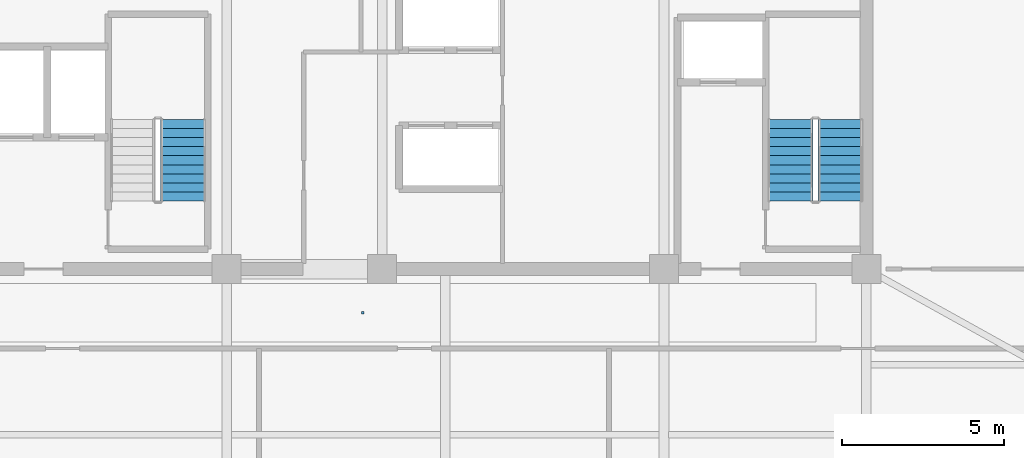
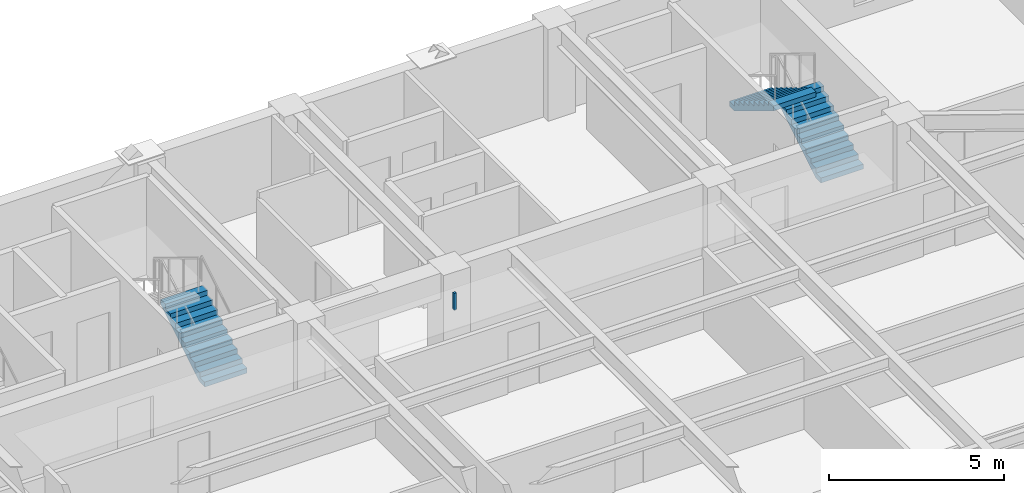
# One storey, part 11 of 16: 3 stair flights, 1 discrete accessory, 2 elements without a shape of their own.
"""IFC4 building model written with IfcOpenShell, lengths in metres."""

from ifc_helpers import new_model, si_unit, direction, frame, origin, origin_2d, place, context, subcontext, project, spatial, polyline, rectangle, outline, extrude, source, transform, mapped, material, type_object, element, aggregate, save


model = new_model("IFC4")

# Units and contexts
model_context = context("Model", 3, precision=1e-05, world=origin(), true_north=direction((0.0, 1.0)))
body_context = subcontext(model_context, "Body", "Model", "MODEL_VIEW")
ifc_project = project(units=[si_unit("LENGTHUNIT", "METRE"), si_unit("AREAUNIT", "SQUARE_METRE"), si_unit("VOLUMEUNIT", "CUBIC_METRE"), si_unit("PLANEANGLEUNIT", "RADIAN"), si_unit("MASSUNIT", "GRAM", prefix="KILO")], contexts=[model_context])

# Site, building, storey
site_placement = place(None, origin())
site = spatial("IfcSite", under=ifc_project, at=site_placement, CompositionType="ELEMENT")
building_placement = place(site_placement, origin())
building = spatial("IfcBuilding", under=site, at=building_placement, Name="Giltprow Tower", CompositionType="ELEMENT")
storey_placement = place(building_placement, frame((0.0, 0.0, 272.300048828125)))
storey = spatial("IfcBuildingStorey", under=building, at=storey_placement, Name="L70", CompositionType="ELEMENT", Elevation=272.300048828125)

# Stair, stair flight
ifc_material_1 = material(Name="Concrete C40", Category="concrete")
stair_type_1 = type_object("IfcStairType", Name="STR-ST-2", PredefinedType="HALF_TURN_STAIR", material=ifc_material_1)
stair_1_placement = place(storey_placement, origin())
stair_1 = element("IfcStair", 1, at=stair_1_placement, inside=storey, type_object=stair_type_1, Name="L70 Core Exit Stair ST-2", PredefinedType="HALF_TURN_STAIR")
stair_flight_type_1 = type_object("IfcStairFlightType", Name="SFL-ST-2", PredefinedType="STRAIGHT", material=ifc_material_1)
stair_flight_1_placement = place(storey_placement, frame((29.4599609375, 39.550048828125, 0.0), z_axis=(0.0, 0.0, 1.0), x_axis=(0.0, 1.0, 0.0)))
stair_flight_1 = element("IfcStairFlight", 2, at=stair_flight_1_placement, type_object=stair_flight_type_1, Name="ST-2 flight 1", NumberOfRisers=10, NumberOfTreads=9, PredefinedType="STRAIGHT", RiserHeight=0.17, TreadLength=0.28, context=body_context, shape_type="SweptSolid", body=[
    extrude(outline(polyline([(0.0, 0.0), (0.0, 0.169921875), (0.280029296875, 0.169921875), (0.280029296875, 0.340087890625), (0.56005859375, 0.340087890625), (0.56005859375, 0.510009765625), (0.840087890625, 0.510009765625), (0.840087890625, 0.679931640625), (1.1201171875, 0.679931640625), (1.1201171875, 0.85009765625), (1.39990234375, 0.85009765625), (1.39990234375, 1.02001953125), (1.679931640625, 1.02001953125), (1.679931640625, 1.18994140625), (1.9599609375, 1.18994140625), (1.9599609375, 1.360107421875), (2.239990234375, 1.360107421875), (2.239990234375, 1.530029296875), (2.52001953125, 1.530029296875), (2.52001953125, 1.699951171875), (2.52001953125, 1.354736328125), (0.288818359375, 0.0), (0.0, 0.0)])), frame((0.0, 0.699951171875, 0.0), z_axis=(0.0, -1.0, 0.0), x_axis=(1.0, 0.0, 0.0)), (0.0, 0.0, 1.0), 1.39990234375),
])
aggregate(stair_1, [stair_flight_1])

# Stair, stair flights
stair_type_2 = type_object("IfcStairType", Name="STR-ST-3", PredefinedType="HALF_TURN_STAIR", material=ifc_material_1)
stair_2_placement = place(storey_placement, origin())
stair_2 = element("IfcStair", 3, at=stair_2_placement, inside=storey, type_object=stair_type_2, Name="L70 Core Exit Stair ST-3", PredefinedType="HALF_TURN_STAIR")
stair_flight_type_2 = type_object("IfcStairFlightType", Name="SFL-ST-3", PredefinedType="STRAIGHT", material=ifc_material_1)
stair_flight_2_placement = place(storey_placement, frame((49.760009765625, 39.550048828125, 0.0), z_axis=(0.0, 0.0, 1.0), x_axis=(0.0, 1.0, 0.0)))
stair_flight_2 = element("IfcStairFlight", 4, at=stair_flight_2_placement, type_object=stair_flight_type_2, Name="ST-3 flight 1", NumberOfRisers=10, NumberOfTreads=9, PredefinedType="STRAIGHT", RiserHeight=0.17, TreadLength=0.28, context=body_context, shape_type="SweptSolid", body=[
    extrude(outline(polyline([(0.0, 0.0), (0.0, 0.169921875), (0.280029296875, 0.169921875), (0.280029296875, 0.340087890625), (0.56005859375, 0.340087890625), (0.56005859375, 0.510009765625), (0.840087890625, 0.510009765625), (0.840087890625, 0.679931640625), (1.1201171875, 0.679931640625), (1.1201171875, 0.85009765625), (1.39990234375, 0.85009765625), (1.39990234375, 1.02001953125), (1.679931640625, 1.02001953125), (1.679931640625, 1.18994140625), (1.9599609375, 1.18994140625), (1.9599609375, 1.360107421875), (2.239990234375, 1.360107421875), (2.239990234375, 1.530029296875), (2.52001953125, 1.530029296875), (2.52001953125, 1.699951171875), (2.52001953125, 1.354736328125), (0.288818359375, 0.0), (0.0, 0.0)])), frame((0.0, 0.699951171875, 0.0), z_axis=(0.0, -1.0, 0.0), x_axis=(1.0, 0.0, 0.0)), (0.0, 0.0, 1.0), 1.39990234375),
])
stair_flight_3_placement = place(storey_placement, frame((48.199951171875, 42.070068359375, 1.699951171875), z_axis=(0.0, 0.0, 1.0), x_axis=(0.0, -1.0, 0.0)))
stair_flight_3 = element("IfcStairFlight", 5, at=stair_flight_3_placement, type_object=stair_flight_type_2, Name="ST-3 flight 2", NumberOfRisers=10, NumberOfTreads=9, PredefinedType="STRAIGHT", RiserHeight=0.17, TreadLength=0.28, context=body_context, shape_type="SweptSolid", body=[
    extrude(outline(polyline([(0.0, 0.0), (0.0, 0.169921875), (0.280029296875, 0.169921875), (0.280029296875, 0.340087890625), (0.56005859375, 0.340087890625), (0.56005859375, 0.510009765625), (0.840087890625, 0.510009765625), (0.840087890625, 0.679931640625), (1.1201171875, 0.679931640625), (1.1201171875, 0.85009765625), (1.39990234375, 0.85009765625), (1.39990234375, 1.02001953125), (1.679931640625, 1.02001953125), (1.679931640625, 1.18994140625), (1.9599609375, 1.18994140625), (1.9599609375, 1.360107421875), (2.239990234375, 1.360107421875), (2.239990234375, 1.530029296875), (2.52001953125, 1.530029296875), (2.52001953125, 1.699951171875), (2.52001953125, 1.354736328125), (0.288818359375, 0.0), (0.0, 0.0)])), frame((0.0, 0.699951171875, 0.0), z_axis=(0.0, -1.0, 0.0), x_axis=(1.0, 0.0, 0.0)), (0.0, 0.0, 1.0), 1.39990234375),
])
aggregate(stair_2, [stair_flight_2, stair_flight_3])

# Discrete accessory
ifc_material_2 = material(Name="Structural steel Q355B", Category="steel")
discrete_accessory_type = type_object("IfcDiscreteAccessoryType", Name="ACC-CLG-HANGER", PredefinedType="BRACKET", material=ifc_material_2)
shared_shape = source(origin(), body_context, "Body", "SweptSolid", [
    extrude(rectangle(XDim=0.080078125, YDim=0.080078125, at=origin_2d()), origin(), (0.0, 0.0, 1.0), 0.5849609375),
])
discrete_accessory_placement = place(storey_placement, frame((35.0, 36.10009765625, 2.619384765625), z_axis=(0.0, 0.0, 1.0), x_axis=(1.0, 0.0, 0.0)))
element("IfcDiscreteAccessory", 6, at=discrete_accessory_placement, inside=storey, type_object=discrete_accessory_type, Name="L70 Residence Gallery Ceiling Suspension Hanger", PredefinedType="BRACKET", context=body_context, shape_type="MappedRepresentation", body=[
    mapped(shared_shape, transform((0.0, 0.0, 0.0), x_axis=(1.0, 0.0, 0.0), y_axis=(0.0, 1.0, 0.0), z_axis=(0.0, 0.0, 1.0), scale=1.0)),
])

save(model, "model.ifc")
